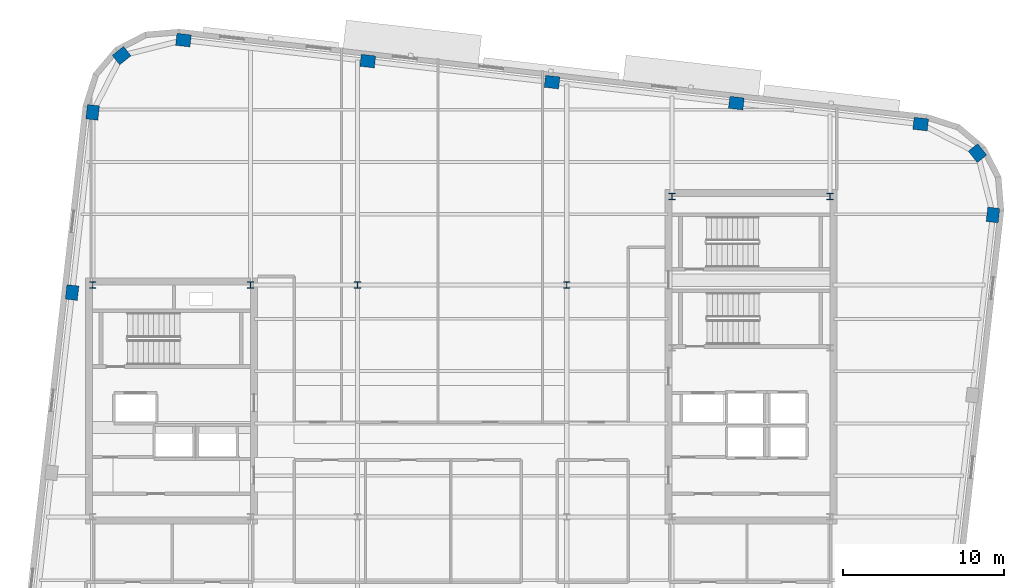
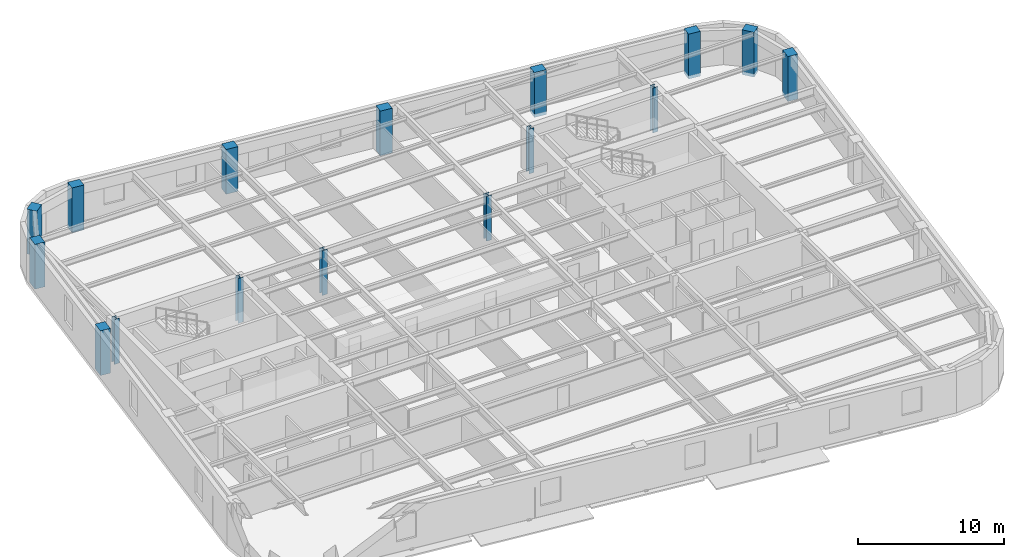
# One storey, part 2 of 13: 16 columns.
"""IFC4 building model written with IfcOpenShell, lengths in metres."""

from ifc_helpers import new_model, si_unit, direction, frame, origin, origin_2d, place, context, subcontext, project, spatial, rectangle, i_section, extrude, material, material_profile, profile_set, type_object, element, save


model = new_model("IFC4")

# Units and contexts
model_context = context("Model", 3, precision=1e-05, world=origin(), true_north=direction((0.0, 1.0)))
body_context = subcontext(model_context, "Body", "Model", "MODEL_VIEW")
ifc_project = project(units=[si_unit("LENGTHUNIT", "METRE"), si_unit("AREAUNIT", "SQUARE_METRE"), si_unit("VOLUMEUNIT", "CUBIC_METRE"), si_unit("PLANEANGLEUNIT", "RADIAN"), si_unit("MASSUNIT", "GRAM", prefix="KILO")], contexts=[model_context])

# Site, building, storey
site_placement = place(None, origin())
site = spatial("IfcSite", under=ifc_project, at=site_placement, CompositionType="ELEMENT")
building_placement = place(site_placement, origin())
building = spatial("IfcBuilding", under=site, at=building_placement, Name="Kolvaren Arena Tower", CompositionType="ELEMENT")
storey_placement = place(building_placement, frame((0.0, 0.0, 243.449951171875)))
storey = spatial("IfcBuildingStorey", under=building, at=storey_placement, Name="L59", CompositionType="ELEMENT", Elevation=243.449951171875)

# Columns
ifc_material_1 = material(Name="Precast concrete C55/67", Category="concrete")
ifc_material_profile_1 = material_profile(ifc_material_1, rectangle(XDim=0.89990234375, YDim=0.75, at=origin_2d()), Name="RC-900x750")
ifc_profile_set_1 = profile_set([ifc_material_profile_1], Name="Precast concrete C55/67")
column_type_1 = type_object("IfcColumnType", Name="EXCOL-Z4", PredefinedType="COLUMN", material=ifc_profile_set_1)
for number, where, z_axis, x_axis, name in (
    (1, (70.482177734375, 38.20458984375, -0.27001953125), (0.0, 0.0, 1.0), (0.113203213768, 0.993571855677, 0.0), "Exoskeleton Perimeter Column 10 (L59)"),
    (2, (69.519775390625, 42.047119140625, -0.27001953125), (0.0, 0.0, 1.0), (-0.622514636638, 0.782608156852, 0.0), "Exoskeleton Perimeter Column 11 (L59)"),
    (3, (65.9921875, 43.84912109375, -0.27001953125), (0.0, 0.0, 1.0), (0.993571855677, -0.113203213768, 0.0), "Exoskeleton Perimeter Column 12 (L59)"),
    (4, (54.54150390625, 45.15380859375, -0.27001953125), (0.0, 0.0, 1.0), (0.993571855677, -0.113203213768, 0.0), "Exoskeleton Perimeter Column 13 (L59)"),
    (5, (43.090576171875, 46.45849609375, -0.27001953125), (0.0, 0.0, 1.0), (0.993571855677, -0.113203213768, 0.0), "Exoskeleton Perimeter Column 14 (L59)"),
    (6, (31.6396484375, 47.76318359375, -0.27001953125), (0.0, 0.0, 1.0), (0.993571855677, -0.113203213768, 0.0), "Exoskeleton Perimeter Column 15 (L59)"),
    (7, (20.188720703125, 49.06787109375, -0.27001953125), (0.0, 0.0, 1.0), (0.993571855677, -0.113203213768, 0.0), "Exoskeleton Perimeter Column 16 (L59)"),
    (8, (16.34619140625, 48.10546875, -0.27001953125), (0.0, 0.0, 1.0), (0.782608156852, 0.622514636638, 0.0), "Exoskeleton Perimeter Column 17 (L59)"),
    (9, (14.544189453125, 44.577880859375, -0.27001953125), (0.0, 0.0, 1.0), (0.113203213768, 0.993571855677, 0.0), "Exoskeleton Perimeter Column 18 (L59)"),
    (10, (13.268798828125, 33.3837890625, -0.27001953125), (0.0, 0.0, 1.0), (0.113203213768, 0.993571855677, 0.0), "Exoskeleton Perimeter Column 19 (L59)"),
):
    element("IfcColumn", number, at=place(storey_placement, frame(where, z_axis=z_axis, x_axis=x_axis)), inside=storey, type_object=column_type_1, Name=name, PredefinedType="COLUMN", context=body_context, shape_type="SweptSolid", body=[
        extrude(rectangle(XDim=0.89990234375, YDim=0.75, at=origin_2d()), origin(), (0.0, 0.0, 1.0), 3.75),
    ])
ifc_material_2 = material(Name="Steel ASTM A913 Grade 65", Category="steel")
ifc_material_profile_2 = material_profile(ifc_material_2, i_section(OverallWidth=0.39892578125, OverallDepth=0.39306640625, WebThickness=0.022705078125, FlangeThickness=0.03662109375, FilletRadius=0.02001953125, at=origin_2d()), Name="W360x287")
ifc_profile_set_2 = profile_set([ifc_material_profile_2], Name="Steel ASTM A913 Grade 65")
column_type_2 = type_object("IfcColumnType", Name="SCOL-Z4", PredefinedType="COLUMN", material=ifc_profile_set_2)
for number, where, z_axis, x_axis, name in (
    (11, (14.550048828125, 33.85009765625, -0.27001953125), (0.0, 0.0, 1.0), (1.0, 0.0, 0.0), "Core Boundary Column WC-NW (L59)"),
    (12, (24.35009765625, 33.85009765625, -0.27001953125), (0.0, 0.0, 1.0), (1.0, 0.0, 0.0), "Core Boundary Column WC-NE (L59)"),
    (13, (50.550048828125, 39.35009765625, -0.27001953125), (0.0, 0.0, 1.0), (1.0, 0.0, 0.0), "Core Boundary Column EC-NW (L59)"),
    (14, (60.35009765625, 39.35009765625, -0.27001953125), (0.0, 0.0, 1.0), (1.0, 0.0, 0.0), "Core Boundary Column EC-NE (L59)"),
    (15, (31.0, 33.85009765625, -0.27001953125), (0.0, 0.0, 1.0), (1.0, 0.0, 0.0), "Interior Gravity Column TC-NW (L59)"),
    (16, (44.0, 33.85009765625, -0.27001953125), (0.0, 0.0, 1.0), (1.0, 0.0, 0.0), "Interior Gravity Column TC-NE (L59)"),
):
    element("IfcColumn", number, at=place(storey_placement, frame(where, z_axis=z_axis, x_axis=x_axis)), inside=storey, type_object=column_type_2, Name=name, PredefinedType="COLUMN", context=body_context, shape_type="SweptSolid", body=[
        extrude(i_section(OverallWidth=0.39892578125, OverallDepth=0.39306640625, WebThickness=0.022705078125, FlangeThickness=0.03662109375, FilletRadius=0.02001953125, at=origin_2d()), origin(), (0.0, 0.0, 1.0), 3.75),
    ])

save(model, "model.ifc")
